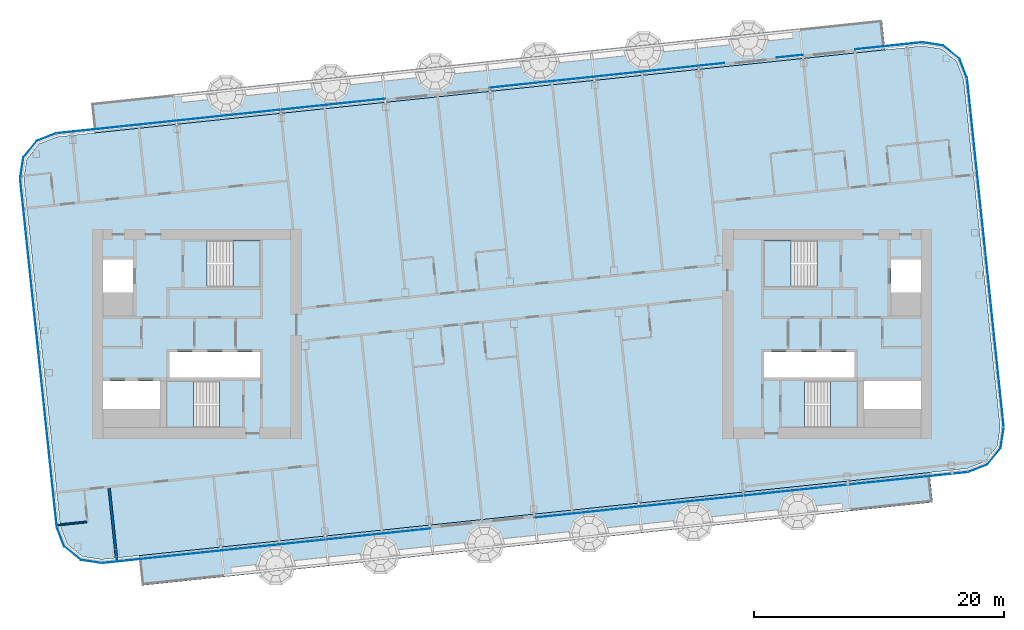
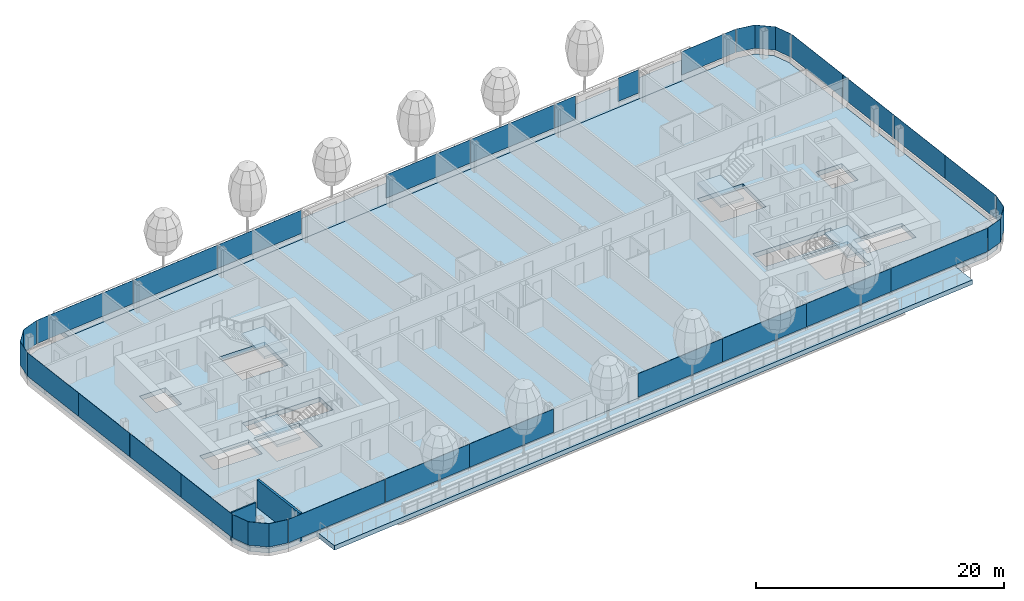
# One storey, part 11 of 29: 27 plates, 7 slabs, 2 walls, 12 elements without a shape of their own.
"""IFC4 building model written with IfcOpenShell, lengths in metres."""

from ifc_helpers import new_model, si_unit, direction, frame, frame_2d, origin, origin_2d, place, context, subcontext, project, spatial, polyline, rectangle, outline, extrude, material, layer, layer_set, type_object, element, aggregate, save


model = new_model("IFC4")

# Units and contexts
model_context = context("Model", 3, precision=1e-05, world=origin(), true_north=direction((0.0, 1.0)))
body_context = subcontext(model_context, "Body", "Model", "MODEL_VIEW")
ifc_project = project(units=[si_unit("LENGTHUNIT", "METRE"), si_unit("AREAUNIT", "SQUARE_METRE"), si_unit("VOLUMEUNIT", "CUBIC_METRE"), si_unit("PLANEANGLEUNIT", "RADIAN"), si_unit("MASSUNIT", "GRAM", prefix="KILO")], contexts=[model_context])

# Site, building, storey
site_placement = place(None, origin())
site = spatial("IfcSite", under=ifc_project, at=site_placement, CompositionType="ELEMENT")
building_placement = place(site_placement, origin())
building = spatial("IfcBuilding", under=site, at=building_placement, Name="Hakoniwa Tower and Hamabe Station Hall", CompositionType="ELEMENT")
storey_placement = place(building_placement, frame((0.0, 0.0, 258.199951171875)))
storey = spatial("IfcBuildingStorey", under=building, at=storey_placement, Name="L73", CompositionType="ELEMENT", Elevation=258.199951171875)

# Slabs
ifc_material_1 = material(Name="Concrete C42", Category="concrete")
ifc_layer_1 = layer(ifc_material_1, 0.25)
ifc_layer_set_1 = layer_set([ifc_layer_1], Name="BALCONY SLAB 250")
slab_type_1 = type_object("IfcSlabType", Name="BALCONY SLAB 250", PredefinedType="FLOOR", material=ifc_layer_set_1)
slab_1_placement = place(storey_placement, frame((0.0, 0.0, -0.449951171875)))
element("IfcSlab", 1, at=slab_1_placement, inside=storey, type_object=slab_type_1, Name="Balcony slab L73 BAL-L73-N", PredefinedType="FLOOR", context=body_context, shape_type="SweptSolid", body=[
    extrude(outline(polyline([(-33.40283203125, 16.0830078125), (29.848876953125, 22.73095703125), (29.597900390625, 25.11767578125), (-33.653564453125, 18.4697265625), (-33.40283203125, 16.0830078125)])), origin(), (0.0, 0.0, 1.0), 0.449951171875),
])
slab_2_placement = place(storey_placement, frame((0.0, 0.0, -0.449951171875)))
element("IfcSlab", 2, at=slab_2_placement, inside=storey, type_object=slab_type_1, Name="Balcony slab L73 BAL-L73-S", PredefinedType="FLOOR", context=body_context, shape_type="SweptSolid", body=[
    extrude(outline(polyline([(-29.597900390625, -20.11767578125), (33.653564453125, -13.4697265625), (33.40283203125, -11.0830078125), (-29.848876953125, -17.73095703125), (-29.597900390625, -20.11767578125)])), origin(), (0.0, 0.0, 1.0), 0.449951171875),
])

# Stair, slab
ifc_material_2 = material(Name="Concrete C40", Category="concrete")
stair_type = type_object("IfcStairType", Name="ESCAPE STAIR 1800", PredefinedType="HALF_TURN_STAIR", material=ifc_material_2)
stair_1_placement = place(storey_placement, origin())
stair_1 = element("IfcStair", 3, at=stair_1_placement, inside=storey, type_object=stair_type, Name="Escape stair ST-1 L73", PredefinedType="HALF_TURN_STAIR")
ifc_material_3 = material(Name="Concrete C40", Category="concrete")
ifc_layer_2 = layer(ifc_material_3, 0.25)
ifc_layer_set_2 = layer_set([ifc_layer_2], Name="CORE STAIR LANDING 250")
slab_type_2 = type_object("IfcSlabType", Name="CORE STAIR LANDING 250", PredefinedType="LANDING", material=ifc_layer_set_2)
slab_3_placement = place(storey_placement, frame((0.0, 0.0, 1.35009765625)))
slab_3 = element("IfcSlab", 4, at=slab_3_placement, type_object=slab_type_2, Name="ST-1 landing 1", PredefinedType="LANDING", context=body_context, shape_type="SweptSolid", body=[
    extrude(outline(polyline([(-22.320068359375, 3.75), (-20.14990234375, 3.75), (-20.14990234375, 7.5), (-22.320068359375, 7.5), (-22.320068359375, 3.75)])), origin(), (0.0, 0.0, 1.0), 0.25),
])
aggregate(stair_1, [slab_3])

stair_2_placement = place(storey_placement, origin())
stair_2 = element("IfcStair", 5, at=stair_2_placement, inside=storey, type_object=stair_type, Name="Escape stair ST-2 L73", PredefinedType="HALF_TURN_STAIR")
slab_4_placement = place(storey_placement, frame((0.0, 0.0, 1.35009765625)))
slab_4 = element("IfcSlab", 6, at=slab_4_placement, type_object=slab_type_2, Name="ST-2 landing 1", PredefinedType="LANDING", context=body_context, shape_type="SweptSolid", body=[
    extrude(outline(polyline([(-25.47998046875, -7.5), (-27.64990234375, -7.5), (-27.64990234375, -3.75), (-25.47998046875, -3.75), (-25.47998046875, -7.5)])), origin(), (0.0, 0.0, 1.0), 0.25),
])
aggregate(stair_2, [slab_4])

stair_3_placement = place(storey_placement, origin())
stair_3 = element("IfcStair", 7, at=stair_3_placement, inside=storey, type_object=stair_type, Name="Escape stair ST-3 L73", PredefinedType="HALF_TURN_STAIR")
slab_5_placement = place(storey_placement, frame((0.0, 0.0, 1.35009765625)))
slab_5 = element("IfcSlab", 8, at=slab_5_placement, type_object=slab_type_2, Name="ST-3 landing 1", PredefinedType="LANDING", context=body_context, shape_type="SweptSolid", body=[
    extrude(outline(polyline([(22.320068359375, 3.75), (20.14990234375, 3.75), (20.14990234375, 7.5), (22.320068359375, 7.5), (22.320068359375, 3.75)])), origin(), (0.0, 0.0, 1.0), 0.25),
])
aggregate(stair_3, [slab_5])

stair_4_placement = place(storey_placement, origin())
stair_4 = element("IfcStair", 9, at=stair_4_placement, inside=storey, type_object=stair_type, Name="Escape stair ST-4 L73", PredefinedType="HALF_TURN_STAIR")
slab_6_placement = place(storey_placement, frame((0.0, 0.0, 1.35009765625)))
slab_6 = element("IfcSlab", 10, at=slab_6_placement, type_object=slab_type_2, Name="ST-4 landing 1", PredefinedType="LANDING", context=body_context, shape_type="SweptSolid", body=[
    extrude(outline(polyline([(25.47998046875, -7.5), (27.64990234375, -7.5), (27.64990234375, -3.75), (25.47998046875, -3.75), (25.47998046875, -7.5)])), origin(), (0.0, 0.0, 1.0), 0.25),
])
aggregate(stair_4, [slab_6])

# Curtain wall, plates
ifc_material_4 = material(Name="Dark low-e laminated glass", Category="glass")
ifc_layer_3 = layer(ifc_material_4, 0.199951171875)
ifc_layer_set_3 = layer_set([ifc_layer_3], Name="CW-1 UNITISED GUEST")
curtain_wall_type = type_object("IfcCurtainWallType", Name="CW-1 UNITISED GUEST", PredefinedType="NOTDEFINED", material=ifc_layer_set_3)
curtain_wall_1_placement = place(storey_placement, origin())
curtain_wall_1 = element("IfcCurtainWall", 11, at=curtain_wall_1_placement, inside=storey, type_object=curtain_wall_type, Name="CW-1 curtain wall", PredefinedType="NOTDEFINED")
ifc_material_5 = material(Name="Dark low-e laminated glass", Category="glass")
ifc_layer_4 = layer(ifc_material_5, 0.028076171875)
ifc_layer_set_4 = layer_set([ifc_layer_4], Name="CW-1 GLASS UNIT")
plate_type = type_object("IfcPlateType", Name="CW-1 GLASS UNIT", PredefinedType="CURTAIN_PANEL", material=ifc_layer_set_4)
plate_1_placement = place(storey_placement, frame((38.97802734375, -3.990966796875, 0.35009765625), z_axis=(0.0, 0.0, 1.0), x_axis=(-0.104528468631, 0.994521894805, 0.0)))
plate_1 = element("IfcPlate", 12, at=plate_1_placement, type_object=plate_type, Name="CW-1 glass unit", PredefinedType="CURTAIN_PANEL", context=body_context, shape_type="SweptSolid", body=[
    extrude(rectangle(XDim=6.999755859375, YDim=0.028076171875, at=origin_2d()), origin(), (0.0, 0.0, 1.0), 2.300048828125),
])
plate_2_placement = place(storey_placement, frame((38.244140625, 2.990478515625, 0.35009765625), z_axis=(0.0, 0.0, 1.0), x_axis=(-0.104528468631, 0.994521894805, 0.0)))
plate_2 = element("IfcPlate", 13, at=plate_2_placement, type_object=plate_type, Name="CW-1 glass unit", PredefinedType="CURTAIN_PANEL", context=body_context, shape_type="SweptSolid", body=[
    extrude(rectangle(XDim=6.999755859375, YDim=0.028076171875, at=origin_2d()), origin(), (0.0, 0.0, 1.0), 2.300048828125),
])
plate_3_placement = place(storey_placement, frame((37.510498046875, 9.9716796875, 0.35009765625), z_axis=(0.0, 0.0, 1.0), x_axis=(-0.104528468631, 0.994521894805, 0.0)))
plate_3 = element("IfcPlate", 14, at=plate_3_placement, type_object=plate_type, Name="CW-1 glass unit", PredefinedType="CURTAIN_PANEL", context=body_context, shape_type="SweptSolid", body=[
    extrude(rectangle(XDim=6.999755859375, YDim=0.028076171875, at=origin_2d()), origin(), (0.0, 0.0, 1.0), 2.300048828125),
])
plate_4_placement = place(storey_placement, frame((36.776611328125, 16.953125, 0.35009765625), z_axis=(0.0, 0.0, 1.0), x_axis=(-0.104528468631, 0.994521894805, 0.0)))
plate_4 = element("IfcPlate", 15, at=plate_4_placement, type_object=plate_type, Name="CW-1 glass unit", PredefinedType="CURTAIN_PANEL", context=body_context, shape_type="SweptSolid", body=[
    extrude(rectangle(XDim=6.999755859375, YDim=0.028076171875, at=origin_2d()), origin(), (0.0, 0.0, 1.0), 2.300048828125),
])
aggregate(curtain_wall_1, [plate_1, plate_2, plate_3, plate_4])

# Curtain wall, plate
curtain_wall_2_placement = place(storey_placement, origin())
curtain_wall_2 = element("IfcCurtainWall", 16, at=curtain_wall_2_placement, inside=storey, type_object=curtain_wall_type, Name="CW-1 curtain wall", PredefinedType="NOTDEFINED")
plate_5_placement = place(storey_placement, frame((0.0, 0.0, 0.35009765625)))
plate_5 = element("IfcPlate", 17, at=plate_5_placement, type_object=plate_type, Name="CW-1 curved corner unit", PredefinedType="CURTAIN_PANEL", context=body_context, shape_type="SweptSolid", body=[
    extrude(outline(polyline([(36.409423828125, 20.482421875), (35.82421875, 22.0068359375), (34.492431640625, 23.085205078125), (32.8798828125, 23.340576171875), (32.87548828125, 23.31298828125), (34.480712890625, 23.058837890625), (35.80078125, 21.98974609375), (36.38330078125, 20.472412109375), (36.409423828125, 20.482421875)])), origin(), (0.0, 0.0, 1.0), 2.300048828125),
])
aggregate(curtain_wall_2, [plate_5])

# Curtain wall, plates
curtain_wall_3_placement = place(storey_placement, origin())
curtain_wall_3 = element("IfcCurtainWall", 18, at=curtain_wall_3_placement, inside=storey, type_object=curtain_wall_type, Name="CW-1 curtain wall", PredefinedType="NOTDEFINED")
plate_6_placement = place(storey_placement, frame((30.15185546875, 23.05029296875, 0.35009765625), z_axis=(0.0, 0.0, 1.0), x_axis=(-0.994521895272, -0.104528464188, 0.0)))
plate_6 = element("IfcPlate", 19, at=plate_6_placement, type_object=plate_type, Name="CW-1 glass unit", PredefinedType="CURTAIN_PANEL", context=body_context, shape_type="SweptSolid", body=[
    extrude(rectangle(XDim=5.389404296875, YDim=0.028076171875, at=origin_2d()), origin(), (0.0, 0.0, 1.0), 2.300048828125),
])
plate_7_placement = place(storey_placement, frame((22.2109375, 22.215576171875, 0.35009765625), z_axis=(0.0, 0.0, 1.0), x_axis=(-0.994521895272, -0.104528464188, 0.0)))
plate_7 = element("IfcPlate", 20, at=plate_7_placement, type_object=plate_type, Name="CW-1 glass unit", PredefinedType="CURTAIN_PANEL", context=body_context, shape_type="SweptSolid", body=[
    extrude(rectangle(XDim=2.080078125, YDim=0.028076171875, at=origin_2d()), origin(), (0.0, 0.0, 1.0), 2.300048828125),
])
plate_8_placement = place(storey_placement, frame((15.9453125, 21.55712890625, 0.35009765625), z_axis=(0.0, 0.0, 1.0), x_axis=(-0.994521895272, -0.104528464188, 0.0)))
plate_8 = element("IfcPlate", 21, at=plate_8_placement, type_object=plate_type, Name="CW-1 glass unit", PredefinedType="CURTAIN_PANEL", context=body_context, shape_type="SweptSolid", body=[
    extrude(rectangle(XDim=2.080078125, YDim=0.028076171875, at=origin_2d()), origin(), (0.0, 0.0, 1.0), 2.300048828125),
])
plate_9_placement = place(storey_placement, frame((10.72412109375, 21.00830078125, 0.35009765625), z_axis=(0.0, 0.0, 1.0), x_axis=(-0.994521895272, -0.104528464188, 0.0)))
plate_9 = element("IfcPlate", 22, at=plate_9_placement, type_object=plate_type, Name="CW-1 glass unit", PredefinedType="CURTAIN_PANEL", context=body_context, shape_type="SweptSolid", body=[
    extrude(rectangle(XDim=8.3798828125, YDim=0.028076171875, at=origin_2d()), origin(), (0.0, 0.0, 1.0), 2.300048828125),
])
plate_10_placement = place(storey_placement, frame((2.3701171875, 20.13037109375, 0.35009765625), z_axis=(0.0, 0.0, 1.0), x_axis=(-0.994521895272, -0.104528464188, 0.0)))
plate_10 = element("IfcPlate", 23, at=plate_10_placement, type_object=plate_type, Name="CW-1 glass unit", PredefinedType="CURTAIN_PANEL", context=body_context, shape_type="SweptSolid", body=[
    extrude(rectangle(XDim=8.3798828125, YDim=0.028076171875, at=origin_2d()), origin(), (0.0, 0.0, 1.0), 2.300048828125),
])
plate_11_placement = place(storey_placement, frame((-14.337890625, 18.374267578125, 0.35009765625), z_axis=(0.0, 0.0, 1.0), x_axis=(-0.994521895272, -0.104528464188, 0.0)))
plate_11 = element("IfcPlate", 24, at=plate_11_placement, type_object=plate_type, Name="CW-1 glass unit", PredefinedType="CURTAIN_PANEL", context=body_context, shape_type="SweptSolid", body=[
    extrude(rectangle(XDim=8.3798828125, YDim=0.028076171875, at=origin_2d()), origin(), (0.0, 0.0, 1.0), 2.300048828125),
])
plate_12_placement = place(storey_placement, frame((-22.69189453125, 17.49609375, 0.35009765625), z_axis=(0.0, 0.0, 1.0), x_axis=(-0.994521895272, -0.104528464188, 0.0)))
plate_12 = element("IfcPlate", 25, at=plate_12_placement, type_object=plate_type, Name="CW-1 glass unit", PredefinedType="CURTAIN_PANEL", context=body_context, shape_type="SweptSolid", body=[
    extrude(rectangle(XDim=8.3798828125, YDim=0.028076171875, at=origin_2d()), origin(), (0.0, 0.0, 1.0), 2.300048828125),
])
plate_13_placement = place(storey_placement, frame((-31.662109375, 16.553466796875, 0.35009765625), z_axis=(0.0, 0.0, 1.0), x_axis=(-0.994521895272, -0.104528464188, 0.0)))
plate_13 = element("IfcPlate", 26, at=plate_13_placement, type_object=plate_type, Name="CW-1 glass unit", PredefinedType="CURTAIN_PANEL", context=body_context, shape_type="SweptSolid", body=[
    extrude(rectangle(XDim=9.619384765625, YDim=0.028076171875, at=origin_2d()), origin(), (0.0, 0.0, 1.0), 2.300048828125),
])
aggregate(curtain_wall_3, [plate_6, plate_7, plate_8, plate_9, plate_10, plate_11, plate_12, plate_13])

# Curtain wall, plate
curtain_wall_4_placement = place(storey_placement, origin())
curtain_wall_4 = element("IfcCurtainWall", 27, at=curtain_wall_4_placement, inside=storey, type_object=curtain_wall_type, Name="CW-1 curtain wall", PredefinedType="NOTDEFINED")
plate_14_placement = place(storey_placement, frame((0.0, 0.0, 0.35009765625)))
plate_14 = element("IfcPlate", 28, at=plate_14_placement, type_object=plate_type, Name="CW-1 curved corner unit", PredefinedType="CURTAIN_PANEL", context=body_context, shape_type="SweptSolid", body=[
    extrude(outline(polyline([(-36.494384765625, 16.049072265625), (-38.0185546875, 15.464111328125), (-39.09716796875, 14.13232421875), (-39.3525390625, 12.51953125), (-39.324951171875, 12.51513671875), (-39.070556640625, 14.120361328125), (-38.001708984375, 15.440673828125), (-36.484375, 16.02294921875), (-36.494384765625, 16.049072265625)])), origin(), (0.0, 0.0, 1.0), 2.300048828125),
])
aggregate(curtain_wall_4, [plate_14])

# Curtain wall, plates
curtain_wall_5_placement = place(storey_placement, origin())
curtain_wall_5 = element("IfcCurtainWall", 29, at=curtain_wall_5_placement, inside=storey, type_object=curtain_wall_type, Name="CW-1 curtain wall", PredefinedType="NOTDEFINED")
plate_15_placement = place(storey_placement, frame((-38.97802734375, 8.990966796875, 0.35009765625), z_axis=(0.0, 0.0, 1.0), x_axis=(0.104528468631, -0.994521894805, 0.0)))
plate_15 = element("IfcPlate", 30, at=plate_15_placement, type_object=plate_type, Name="CW-1 glass unit", PredefinedType="CURTAIN_PANEL", context=body_context, shape_type="SweptSolid", body=[
    extrude(rectangle(XDim=6.999755859375, YDim=0.028076171875, at=origin_2d()), origin(), (0.0, 0.0, 1.0), 2.300048828125),
])
plate_16_placement = place(storey_placement, frame((-38.244140625, 2.009521484375, 0.35009765625), z_axis=(0.0, 0.0, 1.0), x_axis=(0.104528468631, -0.994521894805, 0.0)))
plate_16 = element("IfcPlate", 31, at=plate_16_placement, type_object=plate_type, Name="CW-1 glass unit", PredefinedType="CURTAIN_PANEL", context=body_context, shape_type="SweptSolid", body=[
    extrude(rectangle(XDim=6.999755859375, YDim=0.028076171875, at=origin_2d()), origin(), (0.0, 0.0, 1.0), 2.300048828125),
])
plate_17_placement = place(storey_placement, frame((-37.510498046875, -4.9716796875, 0.35009765625), z_axis=(0.0, 0.0, 1.0), x_axis=(0.104528468631, -0.994521894805, 0.0)))
plate_17 = element("IfcPlate", 32, at=plate_17_placement, type_object=plate_type, Name="CW-1 glass unit", PredefinedType="CURTAIN_PANEL", context=body_context, shape_type="SweptSolid", body=[
    extrude(rectangle(XDim=6.999755859375, YDim=0.028076171875, at=origin_2d()), origin(), (0.0, 0.0, 1.0), 2.300048828125),
])
plate_18_placement = place(storey_placement, frame((-36.776611328125, -11.953125, 0.35009765625), z_axis=(0.0, 0.0, 1.0), x_axis=(0.104528468631, -0.994521894805, 0.0)))
plate_18 = element("IfcPlate", 33, at=plate_18_placement, type_object=plate_type, Name="CW-1 glass unit", PredefinedType="CURTAIN_PANEL", context=body_context, shape_type="SweptSolid", body=[
    extrude(rectangle(XDim=6.999755859375, YDim=0.028076171875, at=origin_2d()), origin(), (0.0, 0.0, 1.0), 2.300048828125),
])
aggregate(curtain_wall_5, [plate_15, plate_16, plate_17, plate_18])

# Curtain wall, plate
curtain_wall_6_placement = place(storey_placement, origin())
curtain_wall_6 = element("IfcCurtainWall", 34, at=curtain_wall_6_placement, inside=storey, type_object=curtain_wall_type, Name="CW-1 curtain wall", PredefinedType="NOTDEFINED")
plate_19_placement = place(storey_placement, frame((0.0, 0.0, 0.35009765625)))
plate_19 = element("IfcPlate", 35, at=plate_19_placement, type_object=plate_type, Name="CW-1 curved corner unit", PredefinedType="CURTAIN_PANEL", context=body_context, shape_type="SweptSolid", body=[
    extrude(outline(polyline([(-36.409423828125, -15.482421875), (-35.82421875, -17.0068359375), (-34.492431640625, -18.085205078125), (-32.8798828125, -18.340576171875), (-32.87548828125, -18.31298828125), (-34.480712890625, -18.058837890625), (-35.80078125, -16.98974609375), (-36.38330078125, -15.472412109375), (-36.409423828125, -15.482421875)])), origin(), (0.0, 0.0, 1.0), 2.300048828125),
])
aggregate(curtain_wall_6, [plate_19])

# Curtain wall, plates
curtain_wall_7_placement = place(storey_placement, origin())
curtain_wall_7 = element("IfcCurtainWall", 36, at=curtain_wall_7_placement, inside=storey, type_object=curtain_wall_type, Name="CW-1 curtain wall", PredefinedType="NOTDEFINED")
plate_20_placement = place(storey_placement, frame((-28.04833984375, -17.829345703125, 0.35009765625), z_axis=(0.0, 0.0, 1.0), x_axis=(0.994521895272, 0.104528464188, 0.0)))
plate_20 = element("IfcPlate", 37, at=plate_20_placement, type_object=plate_type, Name="CW-1 glass unit", PredefinedType="CURTAIN_PANEL", context=body_context, shape_type="SweptSolid", body=[
    extrude(rectangle(XDim=9.619384765625, YDim=0.028076171875, at=origin_2d()), origin(), (0.0, 0.0, 1.0), 2.300048828125),
])
plate_21_placement = place(storey_placement, frame((-19.078125, -16.886474609375, 0.35009765625), z_axis=(0.0, 0.0, 1.0), x_axis=(0.994521895272, 0.104528464188, 0.0)))
plate_21 = element("IfcPlate", 38, at=plate_21_placement, type_object=plate_type, Name="CW-1 glass unit", PredefinedType="CURTAIN_PANEL", context=body_context, shape_type="SweptSolid", body=[
    extrude(rectangle(XDim=8.3798828125, YDim=0.028076171875, at=origin_2d()), origin(), (0.0, 0.0, 1.0), 2.300048828125),
])
plate_22_placement = place(storey_placement, frame((-10.72412109375, -16.00830078125, 0.35009765625), z_axis=(0.0, 0.0, 1.0), x_axis=(0.994521895272, 0.104528464188, 0.0)))
plate_22 = element("IfcPlate", 39, at=plate_22_placement, type_object=plate_type, Name="CW-1 glass unit", PredefinedType="CURTAIN_PANEL", context=body_context, shape_type="SweptSolid", body=[
    extrude(rectangle(XDim=8.3798828125, YDim=0.028076171875, at=origin_2d()), origin(), (0.0, 0.0, 1.0), 2.300048828125),
])
plate_23_placement = place(storey_placement, frame((5.98388671875, -14.252197265625, 0.35009765625), z_axis=(0.0, 0.0, 1.0), x_axis=(0.994521895272, 0.104528464188, 0.0)))
plate_23 = element("IfcPlate", 40, at=plate_23_placement, type_object=plate_type, Name="CW-1 glass unit", PredefinedType="CURTAIN_PANEL", context=body_context, shape_type="SweptSolid", body=[
    extrude(rectangle(XDim=8.3798828125, YDim=0.028076171875, at=origin_2d()), origin(), (0.0, 0.0, 1.0), 2.300048828125),
])
plate_24_placement = place(storey_placement, frame((14.337890625, -13.374267578125, 0.35009765625), z_axis=(0.0, 0.0, 1.0), x_axis=(0.994521895272, 0.104528464188, 0.0)))
plate_24 = element("IfcPlate", 41, at=plate_24_placement, type_object=plate_type, Name="CW-1 glass unit", PredefinedType="CURTAIN_PANEL", context=body_context, shape_type="SweptSolid", body=[
    extrude(rectangle(XDim=8.3798828125, YDim=0.028076171875, at=origin_2d()), origin(), (0.0, 0.0, 1.0), 2.300048828125),
])
plate_25_placement = place(storey_placement, frame((22.69189453125, -12.49609375, 0.35009765625), z_axis=(0.0, 0.0, 1.0), x_axis=(0.994521895272, 0.104528464188, 0.0)))
plate_25 = element("IfcPlate", 42, at=plate_25_placement, type_object=plate_type, Name="CW-1 glass unit", PredefinedType="CURTAIN_PANEL", context=body_context, shape_type="SweptSolid", body=[
    extrude(rectangle(XDim=8.3798828125, YDim=0.028076171875, at=origin_2d()), origin(), (0.0, 0.0, 1.0), 2.300048828125),
])
plate_26_placement = place(storey_placement, frame((31.662109375, -11.553466796875, 0.35009765625), z_axis=(0.0, 0.0, 1.0), x_axis=(0.994521895272, 0.104528464188, 0.0)))
plate_26 = element("IfcPlate", 43, at=plate_26_placement, type_object=plate_type, Name="CW-1 glass unit", PredefinedType="CURTAIN_PANEL", context=body_context, shape_type="SweptSolid", body=[
    extrude(rectangle(XDim=9.619384765625, YDim=0.028076171875, at=origin_2d()), origin(), (0.0, 0.0, 1.0), 2.300048828125),
])
aggregate(curtain_wall_7, [plate_20, plate_21, plate_22, plate_23, plate_24, plate_25, plate_26])

# Curtain wall, plate
curtain_wall_8_placement = place(storey_placement, origin())
curtain_wall_8 = element("IfcCurtainWall", 44, at=curtain_wall_8_placement, inside=storey, type_object=curtain_wall_type, Name="CW-1 curtain wall", PredefinedType="NOTDEFINED")
plate_27_placement = place(storey_placement, frame((0.0, 0.0, 0.35009765625)))
plate_27 = element("IfcPlate", 45, at=plate_27_placement, type_object=plate_type, Name="CW-1 curved corner unit", PredefinedType="CURTAIN_PANEL", context=body_context, shape_type="SweptSolid", body=[
    extrude(outline(polyline([(36.494384765625, -11.049072265625), (38.0185546875, -10.464111328125), (39.09716796875, -9.13232421875), (39.3525390625, -7.51953125), (39.324951171875, -7.51513671875), (39.070556640625, -9.120361328125), (38.001708984375, -10.440673828125), (36.484375, -11.02294921875), (36.494384765625, -11.049072265625)])), origin(), (0.0, 0.0, 1.0), 2.300048828125),
])
aggregate(curtain_wall_8, [plate_27])

# Slab
ifc_material_6 = material(Name="Concrete C42", Category="concrete")
ifc_layer_5 = layer(ifc_material_6, 0.449951171875)
ifc_layer_set_5 = layer_set([ifc_layer_5], Name="PT FLAT PLATE 450")
slab_type_3 = type_object("IfcSlabType", Name="PT FLAT PLATE 450", PredefinedType="FLOOR", material=ifc_layer_set_5)
slab_7_placement = place(storey_placement, frame((0.0, 0.0, -0.449951171875)))
element("IfcSlab", 46, at=slab_7_placement, inside=storey, type_object=slab_type_3, Name="Floor slab L73", PredefinedType="FLOOR", context=body_context, shape_type="SweptSolid", body=[
    extrude(outline(polyline([(39.056396484375, -7.47216796875), (36.12939453125, 20.37451171875), (35.572998046875, 21.82421875), (34.3662109375, 22.801513671875), (32.83251953125, 23.04443359375), (-36.38623046875, 15.769287109375), (-37.836181640625, 15.212890625), (-38.8134765625, 14.005859375), (-39.056396484375, 12.47216796875), (-36.12939453125, -15.37451171875), (-35.572998046875, -16.82421875), (-34.3662109375, -17.801513671875), (-32.83251953125, -18.04443359375), (36.38623046875, -10.769287109375), (37.836181640625, -10.212890625), (38.8134765625, -9.005859375), (39.056396484375, -7.47216796875)]), holes=[polyline([(-27.39990234375, -3.5), (-27.39990234375, -1.449951171875), (-20.14990234375, -1.449951171875), (-20.14990234375, -3.5), (-27.39990234375, -3.5)]), polyline([(-32.699951171875, 3.300048828125), (-32.699951171875, 5.949951171875), (-30.300048828125, 5.949951171875), (-30.300048828125, 3.300048828125), (-32.699951171875, 3.300048828125)]), polyline([(-32.699951171875, -6.0), (-32.699951171875, -3.75), (-28.14990234375, -3.75), (-28.14990234375, -6.0), (-32.699951171875, -6.0)]), polyline([(-24.389892578125, 3.75), (-24.389892578125, 7.5), (-20.14990234375, 7.5), (-20.14990234375, 3.75), (-24.389892578125, 3.75)]), polyline([(-27.64990234375, -7.5), (-27.64990234375, -3.75), (-23.409912109375, -3.75), (-23.409912109375, -7.5), (-27.64990234375, -7.5)]), polyline([(20.14990234375, -3.5), (20.14990234375, -1.449951171875), (27.39990234375, -1.449951171875), (27.39990234375, -3.5), (20.14990234375, -3.5)]), polyline([(30.300048828125, 3.300048828125), (30.300048828125, 5.949951171875), (32.699951171875, 5.949951171875), (32.699951171875, 3.300048828125), (30.300048828125, 3.300048828125)]), polyline([(28.14990234375, -6.0), (28.14990234375, -3.75), (32.699951171875, -3.75), (32.699951171875, -6.0), (28.14990234375, -6.0)]), polyline([(20.14990234375, 3.75), (20.14990234375, 7.5), (24.389892578125, 7.5), (24.389892578125, 3.75), (20.14990234375, 3.75)]), polyline([(23.409912109375, -7.5), (23.409912109375, -3.75), (27.64990234375, -3.75), (27.64990234375, -7.5), (23.409912109375, -7.5)])]), origin(), (0.0, 0.0, 1.0), 0.449951171875),
])

# Walls
ifc_material_7 = material(Name="Gypsum board partition", Category="gypsum")
ifc_layer_6 = layer(ifc_material_7, 0.125)
ifc_layer_set_6 = layer_set([ifc_layer_6], Name="Bathroom Partition 125")
wall_type_1 = type_object("IfcWallType", Name="Bathroom Partition 125", PredefinedType="PARTITIONING", material=ifc_layer_set_6)
wall_1_placement = place(storey_placement, frame((-36.43994140625, -15.290771484375, 0.0), z_axis=(0.0, 0.0, 1.0), x_axis=(0.994517520739, 0.10457007671, 0.0)))
element("IfcWall", 47, at=wall_1_placement, inside=storey, type_object=wall_type_1, Name="GW-L73-002", PredefinedType="PARTITIONING", context=body_context, shape_type="SweptSolid", body=[
    extrude(rectangle(XDim=2.4375, YDim=0.125, at=frame_2d((1.21875, 0.0))), origin(), (0.0, 0.0, 1.0), 2.75),
])
ifc_material_8 = material(Name="Fire-rated gypsum board partition", Category="gypsum")
ifc_layer_7 = layer(ifc_material_8, 0.199951171875)
ifc_layer_set_7 = layer_set([ifc_layer_7], Name="Party Wall 200")
wall_type_2 = type_object("IfcWallType", Name="Party Wall 200", PredefinedType="PARTITIONING", material=ifc_layer_set_7)
wall_2_placement = place(storey_placement, frame((-31.607666015625, -18.21728515625, 0.0), z_axis=(0.0, 0.0, 1.0), x_axis=(-0.10453655107, 0.994521045273, 0.0)))
element("IfcWall", 48, at=wall_2_placement, inside=storey, type_object=wall_type_2, Name="GW-L73-019", PredefinedType="PARTITIONING", context=body_context, shape_type="SweptSolid", body=[
    extrude(rectangle(XDim=5.915771484375, YDim=0.199951171875, at=frame_2d((2.9580078125, 0.0))), origin(), (0.0, 0.0, 1.0), 2.75),
])

save(model, "model.ifc")
